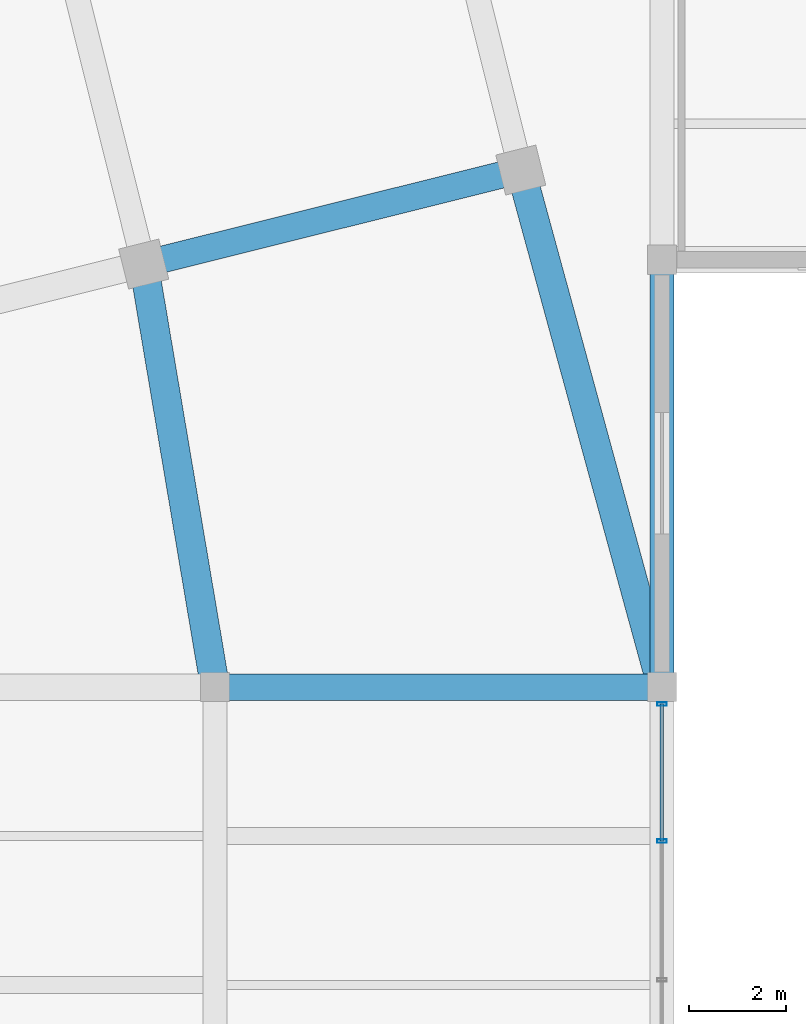
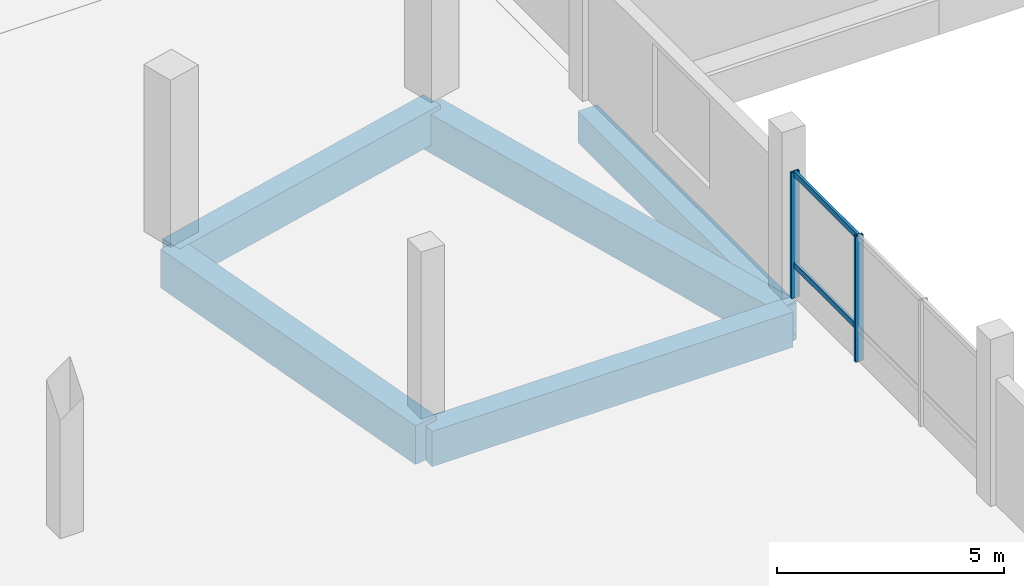
# One storey, part 34 of 77: 5 beams, 4 members, 1 element without a shape of its own.
"""IFC4 building model written with IfcOpenShell, lengths in metres."""

import ifcopenshell
import ifcopenshell.guid

model = None  # the IFC model being written
_history = None  # IfcOwnerHistory: only IFC2X3 demands one
_inside = {}  # id of a spatial element -> (the spatial element, [elements in it])
_under = {}  # id of a project, library or spatial element -> (it, [spatial elements below it])
_declared = {}  # id of a project -> (the project, [libraries it declares])
_typed = {}  # id of a type object -> (the type object, [elements of that type])
_made_of = {}  # id of a material, layer set ... -> (it, [elements and type objects made of it])


def new_model(schema):
    """Start an empty IFC model of exactly this schema.

    Asked for "IFC4X3", IfcOpenShell would pick the latest addendum, in which some entities
    have other attributes; the version numbers below select the first issue.
    IFC2X3 requires an IfcOwnerHistory on every rooted entity: one is made here for all.
    """
    global model, _history
    if schema == "IFC4X3":
        model = ifcopenshell.file(schema_version=(4, 3, 0, 0))
    else:
        model = ifcopenshell.file(schema=schema)
    _inside.clear()
    _under.clear()
    _declared.clear()
    _typed.clear()
    _made_of.clear()
    _history = None
    if model.schema == "IFC2X3":
        org = make("IfcOrganization", Name="unknown")
        user = make(
            "IfcPersonAndOrganization",
            ThePerson=make("IfcPerson", FamilyName="unknown"),
            TheOrganization=org,
        )
        app = make(
            "IfcApplication",
            ApplicationDeveloper=org,
            Version="unknown",
            ApplicationFullName="unknown",
            ApplicationIdentifier="unknown",
        )
        _history = make(
            "IfcOwnerHistory",
            OwningUser=user,
            OwningApplication=app,
            ChangeAction="ADDED",
            CreationDate=0,
        )
    return model


def make(cls, **values):
    """One entity of the class cls with the attributes given. An attribute that is None is left unset."""
    return model.create_entity(
        cls, **{name: value for name, value in values.items() if value is not None}
    )


def rooted(cls, **values):
    """An entity with a GlobalId (a new one), such as an element, a storey or a relation."""
    return make(cls, GlobalId=ifcopenshell.guid.new(), OwnerHistory=_history, **values)


def si_unit(unit_type, name, prefix=None):
    """IfcSIUnit, for example si_unit("LENGTHUNIT", "METRE", prefix="MILLI")."""
    return make("IfcSIUnit", UnitType=unit_type, Prefix=prefix, Name=name)


def assignment(units):
    """IfcUnitAssignment: the units of a project."""
    return None if units is None else make("IfcUnitAssignment", Units=units)


def point(xyz):
    """IfcCartesianPoint."""
    return None if xyz is None else make("IfcCartesianPoint", Coordinates=xyz)


def direction(xyz):
    """IfcDirection."""
    return None if xyz is None else make("IfcDirection", DirectionRatios=xyz)


def frame(location, z_axis=None, x_axis=None):
    """IfcAxis2Placement3D, a coordinate frame: its origin and axes. An axis left out is left unset."""
    return make(
        "IfcAxis2Placement3D",
        Location=point(location),
        Axis=direction(z_axis),
        RefDirection=direction(x_axis),
    )


def frame_2d(location, x_axis=None):
    """IfcAxis2Placement2D, a coordinate frame in the plane: its origin and x axis."""
    return make(
        "IfcAxis2Placement2D", Location=point(location), RefDirection=direction(x_axis)
    )


def origin():
    """The frame at (0, 0, 0) with its axes left unset."""
    return frame((0.0, 0.0, 0.0))


def origin_2d():
    """The frame at (0, 0) in the plane with its x axis left unset."""
    return frame_2d((0.0, 0.0))


def place(relative_to, where):
    """IfcLocalPlacement: puts the frame where relative to a parent placement (None: the world)."""
    return make(
        "IfcLocalPlacement", PlacementRelTo=relative_to, RelativePlacement=where
    )


def context(
    kind, dimensions, precision=None, world=None, true_north=None, identifier=None
):
    """IfcGeometricRepresentationContext, for example the 3D "Model" context."""
    return make(
        "IfcGeometricRepresentationContext",
        ContextIdentifier=identifier,
        ContextType=kind,
        CoordinateSpaceDimension=dimensions,
        Precision=precision,
        WorldCoordinateSystem=world,
        TrueNorth=true_north,
    )


def subcontext(parent, identifier, kind, view, scale=None):
    """IfcGeometricRepresentationSubContext, for example "Body" below "Model"."""
    return make(
        "IfcGeometricRepresentationSubContext",
        ContextIdentifier=identifier,
        ContextType=kind,
        ParentContext=parent,
        TargetScale=scale,
        TargetView=view,
    )


def project(units=None, contexts=None):
    """IfcProject with its units and contexts."""
    return rooted(
        "IfcProject",
        Name="project",
        RepresentationContexts=contexts,
        UnitsInContext=assignment(units),
    )


def spatial(cls, under=None, at=None, **own):
    """A site, building, storey or space (cls), placed at a placement, below another one or the project."""
    s = rooted(cls, ObjectPlacement=at, **own)
    if under is not None:
        _under.setdefault(under.id(), (under, []))[1].append(s)
    return s


def profile(cls, at=None, kind="AREA", **sizes):
    """A parametric profile (cls). Its sizes go by their IFC names, for example OverallWidth=200.0."""
    return make(cls, ProfileType=kind, Position=at, **sizes)


def rectangle(**sizes):
    """IfcRectangleProfileDef."""
    return profile("IfcRectangleProfileDef", **sizes)


def hollow_rectangle(**sizes):
    """IfcRectangleHollowProfileDef."""
    return profile("IfcRectangleHollowProfileDef", **sizes)


def extrude(swept, where, along, depth):
    """IfcExtrudedAreaSolid: the profile swept, set in the frame where, extruded along a direction by depth."""
    return make(
        "IfcExtrudedAreaSolid",
        SweptArea=swept,
        Position=where,
        ExtrudedDirection=direction(along),
        Depth=depth,
    )


def shape(context_of_items, identifier, shape_type, items):
    """IfcShapeRepresentation: the items that make up one representation, for example the "Body"."""
    return make(
        "IfcShapeRepresentation",
        ContextOfItems=context_of_items,
        RepresentationIdentifier=identifier,
        RepresentationType=shape_type,
        Items=items,
    )


def material(Name=None, Category=None):
    """IfcMaterial."""
    return make("IfcMaterial", Name=Name, Category=Category)


def layer(
    of_material, thickness, ventilated=None, Name=None, Category=None, Priority=None
):
    """IfcMaterialLayer: one layer of a wall or slab, of a material (None: an air gap)."""
    return make(
        "IfcMaterialLayer",
        Material=of_material,
        LayerThickness=thickness,
        IsVentilated=ventilated,
        Name=Name,
        Category=Category,
        Priority=Priority,
    )


def layer_set(layers, Name=None):
    """IfcMaterialLayerSet."""
    return make("IfcMaterialLayerSet", MaterialLayers=layers, LayerSetName=Name)


def material_profile(
    of_material, cross_section, Name=None, Category=None, Priority=None
):
    """IfcMaterialProfile: a cross section and its material."""
    return make(
        "IfcMaterialProfile",
        Name=Name,
        Material=of_material,
        Profile=cross_section,
        Priority=Priority,
        Category=Category,
    )


def profile_set(profiles, Name=None, composite=None):
    """IfcMaterialProfileSet."""
    return make(
        "IfcMaterialProfileSet",
        Name=Name,
        MaterialProfiles=profiles,
        CompositeProfile=composite,
    )


def made_of(thing, what):
    """Note that an element or type object is made of a material, layer set ...; save() writes the relation."""
    if what is not None:
        _made_of.setdefault(what.id(), (what, []))[1].append(thing)
    return thing


def type_object(cls, material=None, **own):
    """A type object (cls), such as IfcWallType, which elements share."""
    return made_of(rooted(cls, **own), material)


def element(
    cls,
    number,
    at=None,
    inside=None,
    cuts=None,
    type_object=None,
    material=None,
    context=None,
    identifier="Body",
    shape_type=None,
    held_by="IfcProductDefinitionShape",
    body=None,
    shapes=None,
    **own,
):
    """One element of the class cls, such as IfcWall. Its Tag is "e" and its number.

    at: its placement. inside: the storey or other place that contains it. cuts: it is an
    opening in that element (IfcRelVoidsElement). A single representation is given by context,
    identifier, shape_type and body (its items); several are given by shapes. held_by: the class
    of the entity that holds the representations. save() writes the other relations.
    """
    e = rooted(cls, Tag="e%d" % number, ObjectPlacement=at, **own)
    if body is not None:
        shapes = [shape(context, identifier, shape_type, body)]
    if shapes is not None:
        e.Representation = make(held_by, Representations=shapes)
    if inside is not None:
        _inside.setdefault(inside.id(), (inside, []))[1].append(e)
    if cuts is not None:
        rooted(
            "IfcRelVoidsElement", RelatingBuildingElement=cuts, RelatedOpeningElement=e
        )
    if type_object is not None:
        _typed.setdefault(type_object.id(), (type_object, []))[1].append(e)
    return made_of(e, material)


def aggregate(whole, parts):
    """IfcRelAggregates: a whole, such as a stair, and the parts it consists of."""
    return rooted("IfcRelAggregates", RelatingObject=whole, RelatedObjects=parts)


def save(model, path):
    """Write the relations noted so far, then the file.

    IfcRelAggregates (storeys below a building ...), IfcRelContainedInSpatialStructure (elements
    in a storey), IfcRelDefinesByType, IfcRelAssociatesMaterial and IfcRelDeclares: one each for
    every whole, place, type object, material and project.
    """
    for whole, parts in _under.values():
        aggregate(whole, parts)
    for where, things in _inside.values():
        rooted(
            "IfcRelContainedInSpatialStructure",
            RelatedElements=things,
            RelatingStructure=where,
        )
    for kind, things in _typed.values():
        rooted("IfcRelDefinesByType", RelatedObjects=things, RelatingType=kind)
    for what, things in _made_of.values():
        rooted("IfcRelAssociatesMaterial", RelatedObjects=things, RelatingMaterial=what)
    for by, libraries in _declared.values():
        rooted("IfcRelDeclares", RelatingContext=by, RelatedDefinitions=libraries)
    model.write(path)


model = new_model("IFC4")

# Units and contexts
model_context = context("Model", 3, precision=1e-05, world=origin(), true_north=direction((0.0, 1.0)))
body_context = subcontext(model_context, "Body", "Model", "MODEL_VIEW")
ifc_project = project(units=[si_unit("LENGTHUNIT", "METRE"), si_unit("AREAUNIT", "SQUARE_METRE"), si_unit("VOLUMEUNIT", "CUBIC_METRE"), si_unit("PLANEANGLEUNIT", "RADIAN"), si_unit("MASSUNIT", "GRAM", prefix="KILO")], contexts=[model_context])

# Site, building, storey
site_placement = place(None, origin())
site = spatial("IfcSite", under=ifc_project, at=site_placement, CompositionType="ELEMENT")
building_placement = place(site_placement, origin())
building = spatial("IfcBuilding", under=site, at=building_placement, Name="Meriwether Solvik Hall", CompositionType="ELEMENT")
storey_placement = place(building_placement, frame((0.0, 0.0, 9.89990234375)))
storey = spatial("IfcBuildingStorey", under=building, at=storey_placement, Name="L02", CompositionType="ELEMENT", Elevation=9.89990234375)

# Beams
ifc_material_1 = material(Name="Concrete C40/50", Category="concrete")
ifc_material_profile_1 = material_profile(ifc_material_1, rectangle(XDim=0.5, YDim=0.85009765625, at=origin_2d()), Name="RCB-500X850")
ifc_profile_set_1 = profile_set([ifc_material_profile_1], Name="Concrete C40/50")
beam_type_1 = type_object("IfcBeamType", Name="BM-RC-500X850", PredefinedType="BEAM", material=ifc_profile_set_1)
beam_1_placement = place(storey_placement, frame((114.199951171875, 41.199951171875, -0.875), z_axis=(0.0, 1.0, 0.0), x_axis=(-1.0, 0.0, 0.0)))
element("IfcBeam", 1, at=beam_1_placement, inside=storey, type_object=beam_type_1, Name="Podium Girder 13:E-F (L02)", PredefinedType="BEAM", context=body_context, shape_type="SweptSolid", body=[
    extrude(rectangle(XDim=0.5, YDim=0.85009765625, at=origin_2d()), origin(), (0.0, 0.0, 1.0), 8.800048828125),
])
ifc_material_2 = material(Name="Concrete C40/50", Category="concrete")
ifc_material_profile_2 = material_profile(ifc_material_2, rectangle(XDim=0.550048828125, YDim=0.949951171875, at=origin_2d()), Name="RCB-550X950")
ifc_profile_set_2 = profile_set([ifc_material_profile_2], Name="Concrete C40/50")
beam_type_2 = type_object("IfcBeamType", Name="BM-RC-550X950", PredefinedType="BEAM", material=ifc_profile_set_2)
beam_2_placement = place(storey_placement, frame((105.0, 41.199951171875, -0.9248046875), z_axis=(1.0, 0.0, 0.0), x_axis=(0.0, 1.0, 0.0)))
element("IfcBeam", 2, at=beam_2_placement, inside=storey, type_object=beam_type_2, Name="Podium Girder E:12-13 (L02)", PredefinedType="BEAM", context=body_context, shape_type="SweptSolid", body=[
    extrude(rectangle(XDim=0.550048828125, YDim=0.949951171875, at=origin_2d()), origin(), (0.0, 0.0, 1.0), 9.199951171875),
])
beam_3_placement = place(storey_placement, frame((103.53076171875, 49.9091796875, -0.804931640625), z_axis=(0.970296689949, 0.241918030485, 0.0), x_axis=(-0.241918030485, 0.970296689949, 0.0)))
element("IfcBeam", 3, at=beam_3_placement, inside=storey, type_object=beam_type_2, Name="Tower Girder TA:T6-T7 (L02)", PredefinedType="BEAM", context=body_context, shape_type="SweptSolid", body=[
    extrude(rectangle(XDim=0.550048828125, YDim=0.949951171875, at=origin_2d()), origin(), (0.0, 0.0, 1.0), 7.999755859375),
])
ifc_material_3 = material(Name="Concrete C40/50", Category="concrete")
ifc_material_profile_3 = material_profile(ifc_material_3, rectangle(XDim=0.60009765625, YDim=1.050048828125, at=origin_2d()), Name="RCB-600X1050")
ifc_profile_set_3 = profile_set([ifc_material_profile_3], Name="Concrete C40/50")
beam_type_3 = type_object("IfcBeamType", Name="BM-RC-600X1050", PredefinedType="BEAM", material=ifc_profile_set_3)
beam_4_placement = place(storey_placement, frame((103.53076171875, 49.9091796875, -0.85498046875), z_axis=(0.166348535765, -0.986067018335, 0.0), x_axis=(0.986067018335, 0.166348535765, 0.0)))
element("IfcBeam", 4, at=beam_4_placement, inside=storey, type_object=beam_type_3, Name="Diaphragm Collector Girder T6/TA-12/E (L02)", PredefinedType="BEAM", context=body_context, shape_type="SweptSolid", body=[
    extrude(rectangle(XDim=0.60009765625, YDim=1.050048828125, at=origin_2d()), origin(), (0.0, 0.0, 1.0), 8.832275390625),
])
beam_5_placement = place(storey_placement, frame((111.29296875, 51.844482421875, -0.974853515625), z_axis=(0.263448762729, -0.964673390022, 0.0), x_axis=(0.964673390022, 0.263448762729, 0.0)))
element("IfcBeam", 5, at=beam_5_placement, inside=storey, type_object=beam_type_3, Name="Diaphragm Collector Girder T7/TA-13/E (L02)", PredefinedType="BEAM", context=body_context, shape_type="SweptSolid", body=[
    extrude(rectangle(XDim=0.60009765625, YDim=1.050048828125, at=origin_2d()), origin(), (0.0, 0.0, 1.0), 11.034423828125),
])

# Curtain wall, members
ifc_material_4 = material(Name="Thermally Broken Anodised Aluminium 6063-T6 and Low-E Glass", Category="aluminium")
ifc_layer = layer(ifc_material_4, 0.179931640625)
ifc_layer_set = layer_set([ifc_layer], Name="Thermally Broken Anodised Aluminium 6063-T6 and Low-E Glass")
curtain_wall_type = type_object("IfcCurtainWallType", Name="CW-SF-POD-C", PredefinedType="USERDEFINED", material=ifc_layer_set)
curtain_wall_placement = place(storey_placement, origin())
curtain_wall = element("IfcCurtainWall", 6, at=curtain_wall_placement, inside=storey, type_object=curtain_wall_type, Name="Curtain Wall wing_Y13_4_40 (L02)", ObjectType="STICK STOREFRONT GLAZING", PredefinedType="USERDEFINED")
ifc_material_5 = material(Name="Anodised Aluminium 6063-T6", Category="aluminium")
ifc_material_profile_4 = material_profile(ifc_material_5, hollow_rectangle(XDim=0.070068359375, YDim=0.199951171875, WallThickness=0.0048828125, at=origin_2d()), Name="CWM-70X200")
ifc_profile_set_4 = profile_set([ifc_material_profile_4], Name="Anodised Aluminium 6063-T6")
member_type_1 = type_object("IfcMemberType", Name="CW-MUL-70X200", PredefinedType="MULLION", material=ifc_profile_set_4)
member_1_placement = place(storey_placement, frame((114.199951171875, 40.85009765625, 0.0), z_axis=(0.0, 0.0, 1.0), x_axis=(0.0, -1.0, 0.0)))
member_1 = element("IfcMember", 7, at=member_1_placement, type_object=member_type_1, Name="Curtain Wall Mullion 1", PredefinedType="MULLION", context=body_context, shape_type="SweptSolid", body=[
    extrude(hollow_rectangle(XDim=0.070068359375, YDim=0.199951171875, WallThickness=0.0048828125, at=origin_2d()), origin(), (0.0, 0.0, 1.0), 3.39501953125),
])
member_2_placement = place(storey_placement, frame((114.199951171875, 38.029296875, 0.0), z_axis=(0.0, 0.0, 1.0), x_axis=(0.0, -1.0, 0.0)))
member_2 = element("IfcMember", 8, at=member_2_placement, type_object=member_type_1, Name="Curtain Wall Mullion 2", PredefinedType="MULLION", context=body_context, shape_type="SweptSolid", body=[
    extrude(hollow_rectangle(XDim=0.070068359375, YDim=0.199951171875, WallThickness=0.0048828125, at=origin_2d()), origin(), (0.0, 0.0, 1.0), 3.39501953125),
])
ifc_material_6 = material(Name="Anodised Aluminium 6063-T6", Category="aluminium")
ifc_material_profile_5 = material_profile(ifc_material_6, hollow_rectangle(XDim=0.070068359375, YDim=0.14990234375, WallThickness=0.0048828125, at=origin_2d()), Name="CWT-70X150")
ifc_profile_set_5 = profile_set([ifc_material_profile_5], Name="Anodised Aluminium 6063-T6")
member_type_2 = type_object("IfcMemberType", Name="CW-TRN-70X150", PredefinedType="USERDEFINED", material=ifc_profile_set_5)
member_3_placement = place(storey_placement, frame((114.199951171875, 40.85009765625, 0.880126953125), z_axis=(0.0, -1.0, 0.0), x_axis=(1.0, 0.0, 0.0)))
member_3 = element("IfcMember", 9, at=member_3_placement, type_object=member_type_2, Name="Curtain Wall Transom 1-sill", ObjectType="TRANSOM", PredefinedType="USERDEFINED", context=body_context, shape_type="SweptSolid", body=[
    extrude(hollow_rectangle(XDim=0.070068359375, YDim=0.14990234375, WallThickness=0.0048828125, at=origin_2d()), origin(), (0.0, 0.0, 1.0), 2.82080078125),
])
member_4_placement = place(storey_placement, frame((114.199951171875, 40.85009765625, 3.335205078125), z_axis=(0.0, -1.0, 0.0), x_axis=(1.0, 0.0, 0.0)))
member_4 = element("IfcMember", 10, at=member_4_placement, type_object=member_type_2, Name="Curtain Wall Transom 1-head", ObjectType="TRANSOM", PredefinedType="USERDEFINED", context=body_context, shape_type="SweptSolid", body=[
    extrude(hollow_rectangle(XDim=0.070068359375, YDim=0.14990234375, WallThickness=0.0048828125, at=origin_2d()), origin(), (0.0, 0.0, 1.0), 2.82080078125),
])
aggregate(curtain_wall, [member_1, member_2, member_3, member_4])

save(model, "model.ifc")
